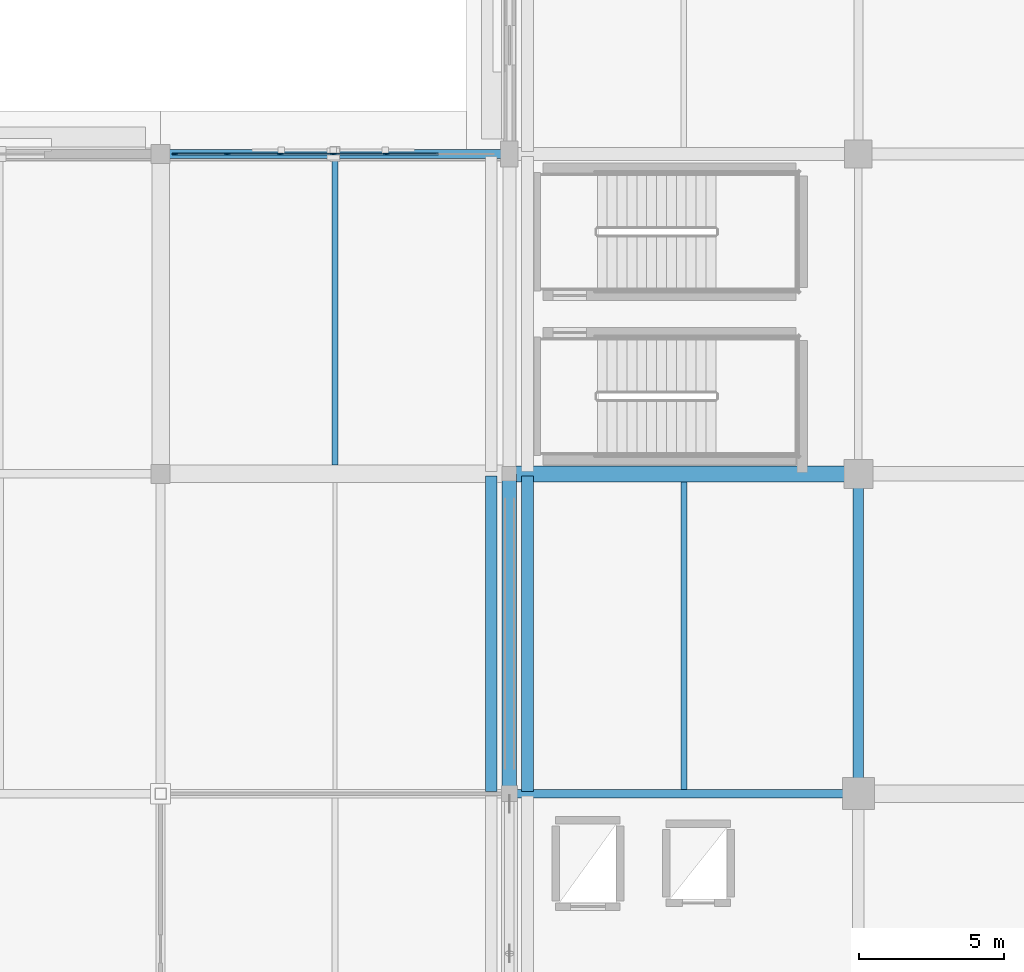
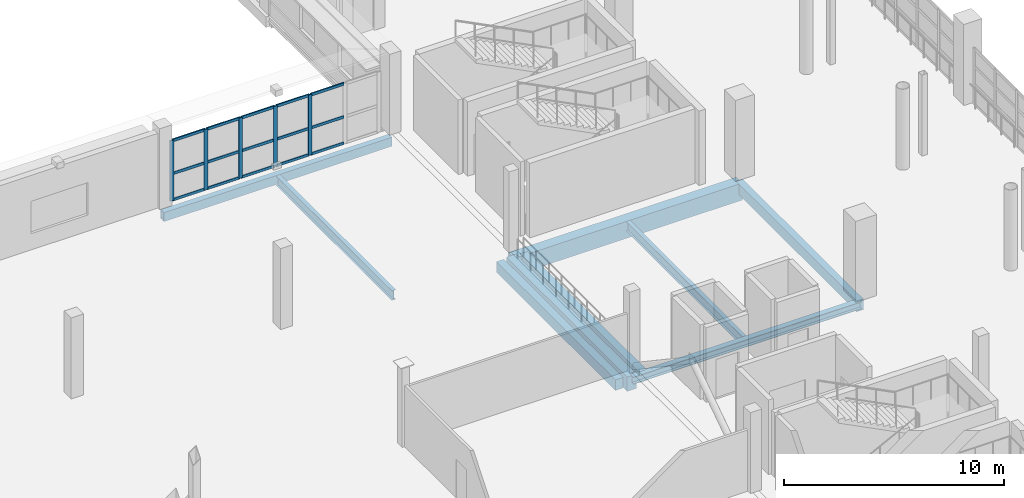
# One storey, part 30 of 118: 20 members, 9 beams, 1 element without a shape of its own.
"""IFC4 building model written with IfcOpenShell, lengths in metres."""

from ifc_helpers import new_model, si_unit, direction, frame, origin, origin_2d, place, context, subcontext, project, spatial, rectangle, hollow_rectangle, i_section, extrude, material, material_profile, profile_set, type_object, element, aggregate, save


model = new_model("IFC4")

# Units and contexts
model_context = context("Model", 3, precision=1e-05, world=origin(), true_north=direction((0.0, 1.0)))
body_context = subcontext(model_context, "Body", "Model", "MODEL_VIEW")
ifc_project = project(units=[si_unit("LENGTHUNIT", "METRE"), si_unit("AREAUNIT", "SQUARE_METRE"), si_unit("VOLUMEUNIT", "CUBIC_METRE"), si_unit("PLANEANGLEUNIT", "RADIAN"), si_unit("MASSUNIT", "GRAM", prefix="KILO")], contexts=[model_context])

# Site, building, storey
site_placement = place(None, origin())
site = spatial("IfcSite", under=ifc_project, at=site_placement, CompositionType="ELEMENT")
building_placement = place(site_placement, origin())
building = spatial("IfcBuilding", under=site, at=building_placement, Name="Luwafu Chhajja Arena", CompositionType="ELEMENT")
storey_placement = place(building_placement, frame((0.0, 0.0, 10.199951171875)))
storey = spatial("IfcBuildingStorey", under=building, at=storey_placement, Name="L02", CompositionType="ELEMENT", Elevation=10.199951171875)

# Beam
ifc_material_1 = material(Name="Concrete C35/45", Category="concrete")
ifc_material_profile_1 = material_profile(ifc_material_1, rectangle(XDim=0.35009765625, YDim=0.60009765625, at=origin_2d()), Name="RC 350x600")
ifc_profile_set_1 = profile_set([ifc_material_profile_1], Name="Concrete C35/45")
beam_type_1 = type_object("IfcBeamType", Name="Arcade Tie Beam RC 350x600", PredefinedType="BEAM", material=ifc_profile_set_1)
beam_1_placement = place(storey_placement, frame((46.0, 33.0, -0.68994140625), z_axis=(0.0, 1.0, 0.0), x_axis=(-1.0, 0.0, 0.0)))
element("IfcBeam", 1, at=beam_1_placement, inside=storey, type_object=beam_type_1, Name="L02 Grid Beam 5/D-E", PredefinedType="BEAM", context=body_context, shape_type="SweptSolid", body=[
    extrude(rectangle(XDim=0.35009765625, YDim=0.60009765625, at=origin_2d()), origin(), (0.0, 0.0, 1.0), 11.0),
])

# Curtain wall, members
ifc_material_2 = material(Name="Anodised bronze aluminium", Category="aluminium")
curtain_wall_type = type_object("IfcCurtainWallType", Name="VIP Club Terrace Curtain Wall", PredefinedType="USERDEFINED", material=ifc_material_2)
curtain_wall_placement = place(storey_placement, origin())
curtain_wall = element("IfcCurtainWall", 2, at=curtain_wall_placement, inside=storey, type_object=curtain_wall_type, Name="L02 Curtain Wall CWG-L02-H02_05", ObjectType="CURTAIN WALL", PredefinedType="USERDEFINED")
ifc_material_profile_2 = material_profile(ifc_material_2, rectangle(XDim=0.06494140625, YDim=0.199951171875, at=origin_2d()), Name="CWM 65x200")
ifc_profile_set_2 = profile_set([ifc_material_profile_2], Name="Anodised bronze aluminium")
member_type_1 = type_object("IfcMemberType", Name="Bronze Curtain Wall Mullion 65x200", PredefinedType="MULLION", material=ifc_profile_set_2)
member_1_placement = place(storey_placement, frame((22.49755859375, 55.0, 0.030029296875), z_axis=(0.0, 0.0, 1.0), x_axis=(0.0, 1.0, 0.0)))
member_1 = element("IfcMember", 3, at=member_1_placement, type_object=member_type_1, Name="CW-10 mullion 1", PredefinedType="MULLION", context=body_context, shape_type="SweptSolid", body=[
    extrude(rectangle(XDim=0.06494140625, YDim=0.199951171875, at=origin_2d()), origin(), (0.0, 0.0, 1.0), 3.360107421875),
])
member_2_placement = place(storey_placement, frame((24.2890625, 55.0, 0.030029296875), z_axis=(0.0, 0.0, 1.0), x_axis=(0.0, 1.0, 0.0)))
member_2 = element("IfcMember", 4, at=member_2_placement, type_object=member_type_1, Name="CW-10 mullion 2", PredefinedType="MULLION", context=body_context, shape_type="SweptSolid", body=[
    extrude(rectangle(XDim=0.06494140625, YDim=0.199951171875, at=origin_2d()), origin(), (0.0, 0.0, 1.0), 3.360107421875),
])
member_3_placement = place(storey_placement, frame((26.11328125, 55.0, 0.030029296875), z_axis=(0.0, 0.0, 1.0), x_axis=(0.0, 1.0, 0.0)))
member_3 = element("IfcMember", 5, at=member_3_placement, type_object=member_type_1, Name="CW-10 mullion 3", PredefinedType="MULLION", context=body_context, shape_type="SweptSolid", body=[
    extrude(rectangle(XDim=0.06494140625, YDim=0.199951171875, at=origin_2d()), origin(), (0.0, 0.0, 1.0), 3.360107421875),
])
member_4_placement = place(storey_placement, frame((27.9375, 55.0, 0.030029296875), z_axis=(0.0, 0.0, 1.0), x_axis=(0.0, 1.0, 0.0)))
member_4 = element("IfcMember", 6, at=member_4_placement, type_object=member_type_1, Name="CW-10 mullion 4", PredefinedType="MULLION", context=body_context, shape_type="SweptSolid", body=[
    extrude(rectangle(XDim=0.06494140625, YDim=0.199951171875, at=origin_2d()), origin(), (0.0, 0.0, 1.0), 3.360107421875),
])
member_5_placement = place(storey_placement, frame((29.76171875, 55.0, 0.030029296875), z_axis=(0.0, 0.0, 1.0), x_axis=(0.0, 1.0, 0.0)))
member_5 = element("IfcMember", 7, at=member_5_placement, type_object=member_type_1, Name="CW-10 mullion 5", PredefinedType="MULLION", context=body_context, shape_type="SweptSolid", body=[
    extrude(rectangle(XDim=0.06494140625, YDim=0.199951171875, at=origin_2d()), origin(), (0.0, 0.0, 1.0), 3.360107421875),
])
ifc_material_profile_3 = material_profile(ifc_material_2, rectangle(XDim=0.06494140625, YDim=0.14990234375, at=origin_2d()), Name="CWT 65x150")
ifc_profile_set_3 = profile_set([ifc_material_profile_3], Name="Anodised bronze aluminium")
member_type_2 = type_object("IfcMemberType", Name="Bronze Curtain Wall Transom 65x150", PredefinedType="USERDEFINED", material=ifc_profile_set_3)
member_6_placement = place(storey_placement, frame((22.530029296875, 55.0, 0.0625), z_axis=(1.0, 0.0, 0.0), x_axis=(0.0, 1.0, 0.0)))
member_6 = element("IfcMember", 8, at=member_6_placement, type_object=member_type_2, Name="CW-10 transom 1.1", ObjectType="TRANSOM", PredefinedType="USERDEFINED", context=body_context, shape_type="SweptSolid", body=[
    extrude(rectangle(XDim=0.06494140625, YDim=0.14990234375, at=origin_2d()), origin(), (0.0, 0.0, 1.0), 1.7265625),
])
member_7_placement = place(storey_placement, frame((22.530029296875, 55.0, 1.525634765625), z_axis=(1.0, 0.0, 0.0), x_axis=(0.0, 1.0, 0.0)))
member_7 = element("IfcMember", 9, at=member_7_placement, type_object=member_type_2, Name="CW-10 transom 1.2", ObjectType="TRANSOM", PredefinedType="USERDEFINED", context=body_context, shape_type="SweptSolid", body=[
    extrude(rectangle(XDim=0.06494140625, YDim=0.14990234375, at=origin_2d()), origin(), (0.0, 0.0, 1.0), 1.7265625),
])
member_8_placement = place(storey_placement, frame((22.530029296875, 55.0, 3.357666015625), z_axis=(1.0, 0.0, 0.0), x_axis=(0.0, 1.0, 0.0)))
member_8 = element("IfcMember", 10, at=member_8_placement, type_object=member_type_2, Name="CW-10 transom 1.3", ObjectType="TRANSOM", PredefinedType="USERDEFINED", context=body_context, shape_type="SweptSolid", body=[
    extrude(rectangle(XDim=0.06494140625, YDim=0.14990234375, at=origin_2d()), origin(), (0.0, 0.0, 1.0), 1.7265625),
])
member_9_placement = place(storey_placement, frame((24.32177734375, 55.0, 0.0625), z_axis=(1.0, 0.0, 0.0), x_axis=(0.0, 1.0, 0.0)))
member_9 = element("IfcMember", 11, at=member_9_placement, type_object=member_type_2, Name="CW-10 transom 2.1", ObjectType="TRANSOM", PredefinedType="USERDEFINED", context=body_context, shape_type="SweptSolid", body=[
    extrude(rectangle(XDim=0.06494140625, YDim=0.14990234375, at=origin_2d()), origin(), (0.0, 0.0, 1.0), 1.759033203125),
])
member_10_placement = place(storey_placement, frame((24.32177734375, 55.0, 1.525634765625), z_axis=(1.0, 0.0, 0.0), x_axis=(0.0, 1.0, 0.0)))
member_10 = element("IfcMember", 12, at=member_10_placement, type_object=member_type_2, Name="CW-10 transom 2.2", ObjectType="TRANSOM", PredefinedType="USERDEFINED", context=body_context, shape_type="SweptSolid", body=[
    extrude(rectangle(XDim=0.06494140625, YDim=0.14990234375, at=origin_2d()), origin(), (0.0, 0.0, 1.0), 1.759033203125),
])
member_11_placement = place(storey_placement, frame((24.32177734375, 55.0, 3.357666015625), z_axis=(1.0, 0.0, 0.0), x_axis=(0.0, 1.0, 0.0)))
member_11 = element("IfcMember", 13, at=member_11_placement, type_object=member_type_2, Name="CW-10 transom 2.3", ObjectType="TRANSOM", PredefinedType="USERDEFINED", context=body_context, shape_type="SweptSolid", body=[
    extrude(rectangle(XDim=0.06494140625, YDim=0.14990234375, at=origin_2d()), origin(), (0.0, 0.0, 1.0), 1.759033203125),
])
member_12_placement = place(storey_placement, frame((26.145751953125, 55.0, 0.0625), z_axis=(1.0, 0.0, 0.0), x_axis=(0.0, 1.0, 0.0)))
member_12 = element("IfcMember", 14, at=member_12_placement, type_object=member_type_2, Name="CW-10 transom 3.1", ObjectType="TRANSOM", PredefinedType="USERDEFINED", context=body_context, shape_type="SweptSolid", body=[
    extrude(rectangle(XDim=0.06494140625, YDim=0.14990234375, at=origin_2d()), origin(), (0.0, 0.0, 1.0), 1.75927734375),
])
member_13_placement = place(storey_placement, frame((26.145751953125, 55.0, 1.525634765625), z_axis=(1.0, 0.0, 0.0), x_axis=(0.0, 1.0, 0.0)))
member_13 = element("IfcMember", 15, at=member_13_placement, type_object=member_type_2, Name="CW-10 transom 3.2", ObjectType="TRANSOM", PredefinedType="USERDEFINED", context=body_context, shape_type="SweptSolid", body=[
    extrude(rectangle(XDim=0.06494140625, YDim=0.14990234375, at=origin_2d()), origin(), (0.0, 0.0, 1.0), 1.75927734375),
])
member_14_placement = place(storey_placement, frame((26.145751953125, 55.0, 3.357666015625), z_axis=(1.0, 0.0, 0.0), x_axis=(0.0, 1.0, 0.0)))
member_14 = element("IfcMember", 16, at=member_14_placement, type_object=member_type_2, Name="CW-10 transom 3.3", ObjectType="TRANSOM", PredefinedType="USERDEFINED", context=body_context, shape_type="SweptSolid", body=[
    extrude(rectangle(XDim=0.06494140625, YDim=0.14990234375, at=origin_2d()), origin(), (0.0, 0.0, 1.0), 1.75927734375),
])
member_15_placement = place(storey_placement, frame((27.969970703125, 55.0, 0.0625), z_axis=(1.0, 0.0, 0.0), x_axis=(0.0, 1.0, 0.0)))
member_15 = element("IfcMember", 17, at=member_15_placement, type_object=member_type_2, Name="CW-10 transom 4.1", ObjectType="TRANSOM", PredefinedType="USERDEFINED", context=body_context, shape_type="SweptSolid", body=[
    extrude(rectangle(XDim=0.06494140625, YDim=0.14990234375, at=origin_2d()), origin(), (0.0, 0.0, 1.0), 1.75927734375),
])
member_16_placement = place(storey_placement, frame((27.969970703125, 55.0, 1.525634765625), z_axis=(1.0, 0.0, 0.0), x_axis=(0.0, 1.0, 0.0)))
member_16 = element("IfcMember", 18, at=member_16_placement, type_object=member_type_2, Name="CW-10 transom 4.2", ObjectType="TRANSOM", PredefinedType="USERDEFINED", context=body_context, shape_type="SweptSolid", body=[
    extrude(rectangle(XDim=0.06494140625, YDim=0.14990234375, at=origin_2d()), origin(), (0.0, 0.0, 1.0), 1.75927734375),
])
member_17_placement = place(storey_placement, frame((27.969970703125, 55.0, 3.357666015625), z_axis=(1.0, 0.0, 0.0), x_axis=(0.0, 1.0, 0.0)))
member_17 = element("IfcMember", 19, at=member_17_placement, type_object=member_type_2, Name="CW-10 transom 4.3", ObjectType="TRANSOM", PredefinedType="USERDEFINED", context=body_context, shape_type="SweptSolid", body=[
    extrude(rectangle(XDim=0.06494140625, YDim=0.14990234375, at=origin_2d()), origin(), (0.0, 0.0, 1.0), 1.75927734375),
])
member_18_placement = place(storey_placement, frame((29.794189453125, 55.0, 0.0625), z_axis=(1.0, 0.0, 0.0), x_axis=(0.0, 1.0, 0.0)))
member_18 = element("IfcMember", 20, at=member_18_placement, type_object=member_type_2, Name="CW-10 transom 5.1", ObjectType="TRANSOM", PredefinedType="USERDEFINED", context=body_context, shape_type="SweptSolid", body=[
    extrude(rectangle(XDim=0.06494140625, YDim=0.14990234375, at=origin_2d()), origin(), (0.0, 0.0, 1.0), 1.759033203125),
])
member_19_placement = place(storey_placement, frame((29.794189453125, 55.0, 1.525634765625), z_axis=(1.0, 0.0, 0.0), x_axis=(0.0, 1.0, 0.0)))
member_19 = element("IfcMember", 21, at=member_19_placement, type_object=member_type_2, Name="CW-10 transom 5.2", ObjectType="TRANSOM", PredefinedType="USERDEFINED", context=body_context, shape_type="SweptSolid", body=[
    extrude(rectangle(XDim=0.06494140625, YDim=0.14990234375, at=origin_2d()), origin(), (0.0, 0.0, 1.0), 1.759033203125),
])
member_20_placement = place(storey_placement, frame((29.794189453125, 55.0, 3.357666015625), z_axis=(1.0, 0.0, 0.0), x_axis=(0.0, 1.0, 0.0)))
member_20 = element("IfcMember", 22, at=member_20_placement, type_object=member_type_2, Name="CW-10 transom 5.3", ObjectType="TRANSOM", PredefinedType="USERDEFINED", context=body_context, shape_type="SweptSolid", body=[
    extrude(rectangle(XDim=0.06494140625, YDim=0.14990234375, at=origin_2d()), origin(), (0.0, 0.0, 1.0), 1.759033203125),
])
aggregate(curtain_wall, [member_1, member_2, member_3, member_4, member_5, member_6, member_7, member_8, member_9, member_10, member_11, member_12, member_13, member_14, member_15, member_16, member_17, member_18, member_19, member_20])

# Beams
ifc_material_profile_4 = material_profile(ifc_material_1, rectangle(XDim=0.550048828125, YDim=0.949951171875, at=origin_2d()), Name="RC 550x950")
ifc_profile_set_4 = profile_set([ifc_material_profile_4], Name="Concrete C35/45")
beam_type_2 = type_object("IfcBeamType", Name="Concourse Radial Girder RC 550x950", PredefinedType="BEAM", material=ifc_profile_set_4)
beam_2_placement = place(storey_placement, frame((34.0, 44.0, -0.864990234375), z_axis=(1.0, 0.0, 0.0), x_axis=(0.0, 1.0, 0.0)))
element("IfcBeam", 23, at=beam_2_placement, inside=storey, type_object=beam_type_2, Name="L02 Grid Beam 4-5/E", PredefinedType="BEAM", context=body_context, shape_type="SweptSolid", body=[
    extrude(rectangle(XDim=0.550048828125, YDim=0.949951171875, at=origin_2d()), origin(), (0.0, 0.0, 1.0), 12.0),
])
ifc_material_3 = material(Name="Steel S355", Category="steel")
ifc_material_profile_5 = material_profile(ifc_material_3, i_section(OverallWidth=0.2099609375, OverallDepth=0.53662109375, WebThickness=0.0107421875, FlangeThickness=0.017333984375, at=origin_2d()), Name="UB 533x210x101")
ifc_profile_set_5 = profile_set([ifc_material_profile_5], Name="Steel S355")
beam_type_3 = type_object("IfcBeamType", Name="Floor Joist UB 533x210x101", PredefinedType="JOIST", material=ifc_profile_set_5)
beam_3_placement = place(storey_placement, frame((28.0, 44.300048828125, -0.658203125), z_axis=(0.0, 1.0, 0.0), x_axis=(-1.0, 0.0, 0.0)))
element("IfcBeam", 24, at=beam_3_placement, inside=storey, type_object=beam_type_3, Name="L02 Secondary Joist 3-4/E", PredefinedType="JOIST", context=body_context, shape_type="SweptSolid", body=[
    extrude(i_section(OverallWidth=0.2099609375, OverallDepth=0.53662109375, WebThickness=0.0107421875, FlangeThickness=0.017333984375, at=origin_2d()), origin(), (0.0, 0.0, 1.0), 10.550048828125),
])
beam_4_placement = place(storey_placement, frame((40.0, 33.14990234375, -0.658203125), z_axis=(0.0, 1.0, 0.0), x_axis=(-1.0, 0.0, 0.0)))
element("IfcBeam", 25, at=beam_4_placement, inside=storey, type_object=beam_type_3, Name="L02 Secondary Joist 4-5/D", PredefinedType="JOIST", context=body_context, shape_type="SweptSolid", body=[
    extrude(i_section(OverallWidth=0.2099609375, OverallDepth=0.53662109375, WebThickness=0.0107421875, FlangeThickness=0.017333984375, at=origin_2d()), origin(), (0.0, 0.0, 1.0), 10.5751953125),
])
ifc_material_profile_6 = material_profile(ifc_material_1, rectangle(XDim=0.5, YDim=0.800048828125, at=origin_2d()), Name="RC 500x800")
ifc_profile_set_6 = profile_set([ifc_material_profile_6], Name="Concrete C35/45")
beam_type_4 = type_object("IfcBeamType", Name="Hospitality Primary Beam RC 500x800", PredefinedType="BEAM", material=ifc_profile_set_6)
beam_5_placement = place(storey_placement, frame((34.0, 33.0, -0.7900390625), z_axis=(0.0, 1.0, 0.0), x_axis=(-1.0, 0.0, 0.0)))
element("IfcBeam", 26, at=beam_5_placement, inside=storey, type_object=beam_type_4, Name="L02 Grid Beam 4/D-E", PredefinedType="BEAM", context=body_context, shape_type="SweptSolid", body=[
    extrude(rectangle(XDim=0.5, YDim=0.800048828125, at=origin_2d()), origin(), (0.0, 0.0, 1.0), 11.0),
])
ifc_material_profile_7 = material_profile(ifc_material_3, hollow_rectangle(XDim=0.300048828125, YDim=0.5, WallThickness=0.02001953125, at=origin_2d()), Name="RHS 500x300x20")
ifc_profile_set_7 = profile_set([ifc_material_profile_7], Name="Steel S355")
beam_type_5 = type_object("IfcBeamType", Name="Pleated Drum Spandrel Beam RHS 500x300", PredefinedType="SPANDREL", material=ifc_profile_set_7)
beam_6_placement = place(storey_placement, frame((22.0, 55.0, -0.639892578125), z_axis=(1.0, 0.0, 0.0), x_axis=(0.0, 1.0, 0.0)))
element("IfcBeam", 27, at=beam_6_placement, inside=storey, type_object=beam_type_5, Name="L02 Grid Beam 3-4/F", PredefinedType="SPANDREL", context=body_context, shape_type="SweptSolid", body=[
    extrude(hollow_rectangle(XDim=0.300048828125, YDim=0.5, WallThickness=0.02001953125, at=origin_2d()), origin(), (0.0, 0.0, 1.0), 12.0),
])
ifc_material_profile_8 = material_profile(ifc_material_1, rectangle(XDim=0.39990234375, YDim=0.60009765625, at=origin_2d()), Name="RC 400x600")
ifc_profile_set_8 = profile_set([ifc_material_profile_8], Name="Concrete C35/45")
beam_type_6 = type_object("IfcBeamType", Name="Podium Perimeter Spandrel RC 400x600", PredefinedType="SPANDREL", material=ifc_profile_set_8)
for number, where, z_axis, x_axis, name in (
    (28, (33.3798828125, 33.080078125, -0.68994140625), (0.0, 1.0, 0.0), (-1.0, 0.0, 0.0), "L02 Movement Joint MJ1W Seat Girder 03"),
    (29, (34.6201171875, 33.080078125, -0.68994140625), (0.0, 1.0, 0.0), (-1.0, 0.0, 0.0), "L02 Movement Joint MJ1E Seat Girder 03"),
):
    element("IfcBeam", number, at=place(storey_placement, frame(where, z_axis=z_axis, x_axis=x_axis)), inside=storey, type_object=beam_type_6, Name=name, PredefinedType="SPANDREL", context=body_context, shape_type="SweptSolid", body=[
        extrude(rectangle(XDim=0.39990234375, YDim=0.60009765625, at=origin_2d()), origin(), (0.0, 0.0, 1.0), 10.83984375),
    ])
ifc_material_profile_9 = material_profile(ifc_material_3, i_section(OverallWidth=0.300048828125, OverallDepth=0.39990234375, WebThickness=0.013427734375, FlangeThickness=0.02392578125, at=origin_2d()), Name="HEB 400")
ifc_profile_set_9 = profile_set([ifc_material_profile_9], Name="Steel S355")
beam_type_7 = type_object("IfcBeamType", Name="Steel Rigging Grid Beam HEB 400", PredefinedType="BEAM", material=ifc_profile_set_9)
beam_7_placement = place(storey_placement, frame((34.0, 33.0, -0.58984375), z_axis=(1.0, 0.0, 0.0), x_axis=(0.0, 1.0, 0.0)))
element("IfcBeam", 30, at=beam_7_placement, inside=storey, type_object=beam_type_7, Name="L02 Grid Beam 4-5/D", PredefinedType="BEAM", context=body_context, shape_type="SweptSolid", body=[
    extrude(i_section(OverallWidth=0.300048828125, OverallDepth=0.39990234375, WebThickness=0.013427734375, FlangeThickness=0.02392578125, at=origin_2d()), origin(), (0.0, 0.0, 1.0), 12.0),
])

save(model, "model.ifc")
